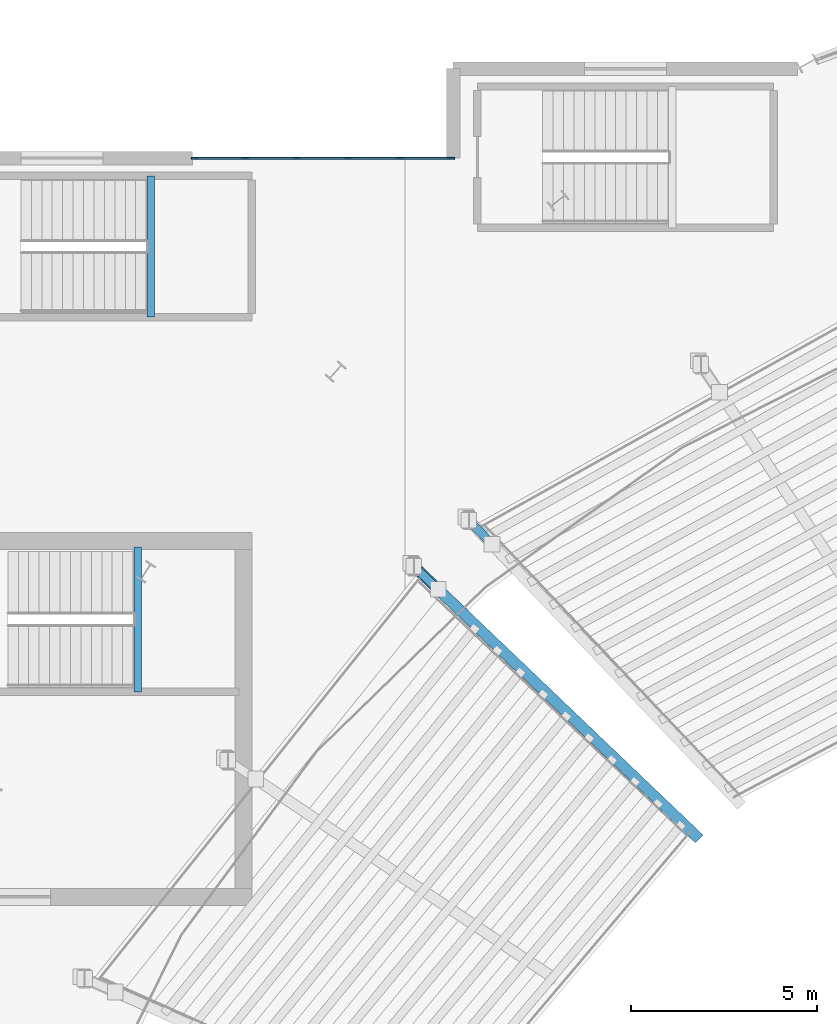
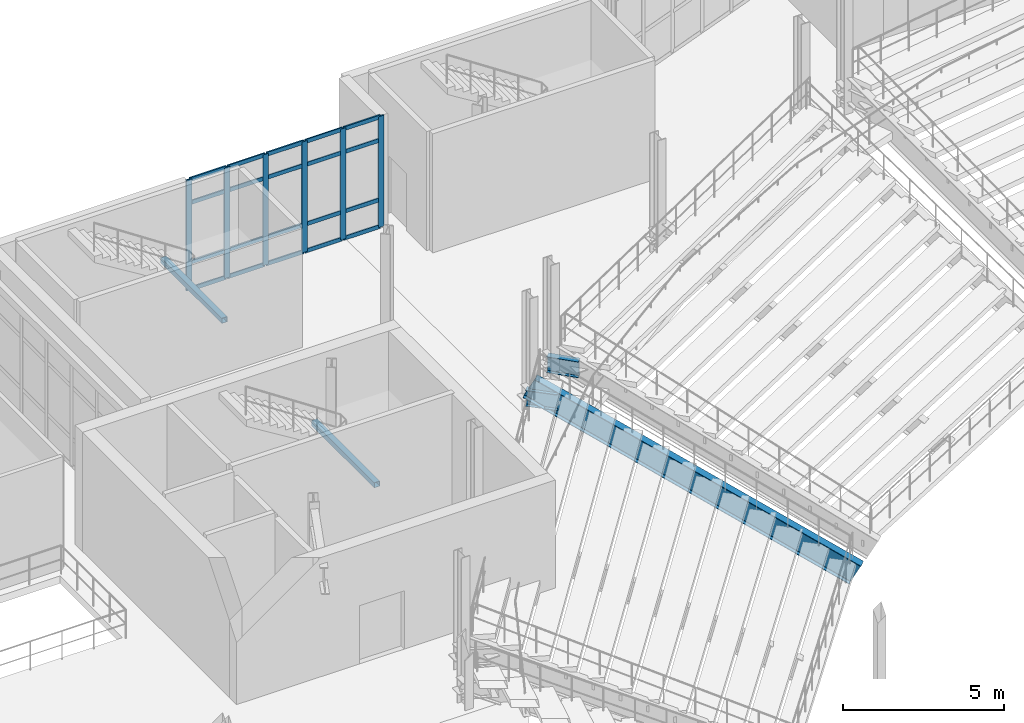
# One storey, part 34 of 81: 26 members, 5 beams, 1 element without a shape of its own.
"""IFC4 building model written with IfcOpenShell, lengths in metres."""

from ifc_helpers import new_model, si_unit, direction, frame, origin, origin_2d, place, context, subcontext, project, spatial, rectangle, hollow_rectangle, i_section, extrude, material, material_profile, profile_set, type_object, element, aggregate, save


model = new_model("IFC4")

# Units and contexts
model_context = context("Model", 3, precision=1e-05, world=origin(), true_north=direction((0.0, 1.0)))
body_context = subcontext(model_context, "Body", "Model", "MODEL_VIEW")
ifc_project = project(units=[si_unit("LENGTHUNIT", "METRE"), si_unit("AREAUNIT", "SQUARE_METRE"), si_unit("VOLUMEUNIT", "CUBIC_METRE"), si_unit("PLANEANGLEUNIT", "RADIAN"), si_unit("MASSUNIT", "GRAM", prefix="KILO")], contexts=[model_context])

# Site, building, storey
site_placement = place(None, origin())
site = spatial("IfcSite", under=ifc_project, at=site_placement, CompositionType="ELEMENT")
building_placement = place(site_placement, origin())
building = spatial("IfcBuilding", under=site, at=building_placement, Name="Glasvene Arena", CompositionType="ELEMENT")
storey_placement = place(building_placement, frame((0.0, 0.0, 15.0)))
storey = spatial("IfcBuildingStorey", under=building, at=storey_placement, Name="L03", CompositionType="ELEMENT", Elevation=15.0)

# Beams
ifc_material_1 = material(Name="Steel S355J2", Category="steel")
ifc_material_profile_1 = material_profile(ifc_material_1, i_section(OverallWidth=0.228271484375, OverallDepth=0.607666015625, WebThickness=0.010986328125, FlangeThickness=0.017333984375, FilletRadius=0.0126953125, at=origin_2d()), Name="UKB 610x229x113")
ifc_profile_set_1 = profile_set([ifc_material_profile_1], Name="Steel S355J2")
beam_type_1 = type_object("IfcBeamType", Name="BM-GIRD-610", PredefinedType="BEAM", material=ifc_profile_set_1)
for number, where, z_axis, x_axis, name in (
    (1, (60.84130859375, 100.18359375, 0.60498046875), (-0.691010672315, 0.722844555037, 0.0), (-0.722844555037, -0.691010672315, 0.0), "Upper raker rear seat haunch girder RKS-06-3"),
    (2, (59.394287109375, 98.977294921875, 0.60498046875), (-0.723078356625, 0.690766016955, 0.0), (-0.690766016955, -0.723078356625, 0.0), "Upper raker rear seat haunch girder RKS-07-1"),
):
    element("IfcBeam", number, at=place(storey_placement, frame(where, z_axis=z_axis, x_axis=x_axis)), inside=storey, type_object=beam_type_1, Name=name, PredefinedType="BEAM", context=body_context, shape_type="SweptSolid", body=[
        extrude(i_section(OverallWidth=0.228271484375, OverallDepth=0.607666015625, WebThickness=0.010986328125, FlangeThickness=0.017333984375, FilletRadius=0.0126953125, at=origin_2d()), origin(), (0.0, 0.0, 1.0), 1.02001953125),
    ])
ifc_material_profile_2 = material_profile(ifc_material_1, hollow_rectangle(XDim=0.199951171875, YDim=0.199951171875, WallThickness=0.010009765625, at=origin_2d()), Name="SHS 200x200x10.0")
ifc_profile_set_2 = profile_set([ifc_material_profile_2], Name="Steel S355J2")
beam_type_2 = type_object("IfcBeamType", Name="BM-LINTEL-200", PredefinedType="LINTEL", material=ifc_profile_set_2)
beam_1_placement = place(storey_placement, frame((51.330078125, 96.22998046875, 1.929931640625), z_axis=(0.0, 1.0, 0.0), x_axis=(-1.0, 0.0, 0.0)))
element("IfcBeam", 3, at=beam_1_placement, inside=storey, type_object=beam_type_2, Name="Stair half-landing support beam ST-01-L03", PredefinedType="LINTEL", context=body_context, shape_type="SweptSolid", body=[
    extrude(hollow_rectangle(XDim=0.199951171875, YDim=0.199951171875, WallThickness=0.010009765625, at=origin_2d()), origin(), (0.0, 0.0, 1.0), 3.89013671875),
])
beam_2_placement = place(storey_placement, frame((51.679931640625, 106.280029296875, 1.929931640625), z_axis=(0.0, 1.0, 0.0), x_axis=(-1.0, 0.0, 0.0)))
element("IfcBeam", 4, at=beam_2_placement, inside=storey, type_object=beam_type_2, Name="Stair half-landing support beam ST-12-L03", PredefinedType="LINTEL", context=body_context, shape_type="SweptSolid", body=[
    extrude(hollow_rectangle(XDim=0.199951171875, YDim=0.199951171875, WallThickness=0.010009765625, at=origin_2d()), origin(), (0.0, 0.0, 1.0), 3.7900390625),
])
ifc_material_profile_3 = material_profile(ifc_material_1, i_section(OverallWidth=0.29248046875, OverallDepth=0.8408203125, WebThickness=0.0146484375, FlangeThickness=0.021728515625, FilletRadius=0.017822265625, at=origin_2d()), Name="UKB 838x292x194")
ifc_profile_set_3 = profile_set([ifc_material_profile_3], Name="Steel S355J2")
beam_type_3 = type_object("IfcBeamType", Name="Upper bowl raker", PredefinedType="USERDEFINED", material=ifc_profile_set_3)
beam_3_placement = place(storey_placement, frame((66.262451171875, 92.413818359375, -4.320068359375), z_axis=(-0.643395546748, 0.614837792595, 0.456088433554), x_axis=(-0.690879858158, -0.722969585523, 0.0)))
element("IfcBeam", 5, at=beam_3_placement, inside=storey, type_object=beam_type_3, Name="Upper bowl cantilevered raker beam RKU-07-1", ObjectType="RAKER BEAM", PredefinedType="USERDEFINED", context=body_context, shape_type="SweptSolid", body=[
    extrude(i_section(OverallWidth=0.29248046875, OverallDepth=0.8408203125, WebThickness=0.0146484375, FlangeThickness=0.021728515625, FilletRadius=0.017822265625, at=origin_2d()), origin(), (0.0, 0.0, 1.0), 11.6865234375),
])

# Curtain wall, members
ifc_material_2 = material(Name="Low-emissivity laminated double glazing", Category="glass")
curtain_wall_type = type_object("IfcCurtainWallType", Name="CW-FAC-L03-692x419", PredefinedType="USERDEFINED", material=ifc_material_2)
curtain_wall_placement = place(storey_placement, frame((52.840087890625, 110.550048828125, 0.0)))
curtain_wall = element("IfcCurtainWall", 6, at=curtain_wall_placement, inside=storey, type_object=curtain_wall_type, Name="Unitised curtain wall CW-F-L03-180-563-1106-19", ObjectType="CURTAIN WALL", PredefinedType="USERDEFINED")
ifc_material_3 = material(Name="Anodised architectural aluminium", Category="aluminium")
ifc_material_profile_4 = material_profile(ifc_material_3, rectangle(XDim=0.050048828125, YDim=0.199951171875, at=origin_2d()), Name="ALU MULLION 50x200")
ifc_profile_set_4 = profile_set([ifc_material_profile_4], Name="Anodised architectural aluminium")
member_type_1 = type_object("IfcMemberType", Name="CW-MUL-180", PredefinedType="MULLION", material=ifc_profile_set_4)
member_1_placement = place(storey_placement, frame((52.864990234375, 110.550048828125, 0.06005859375), z_axis=(0.0, 0.0, 1.0), x_axis=(0.0, 1.0, 0.0)))
member_1 = element("IfcMember", 7, at=member_1_placement, type_object=member_type_1, Name="CW-035 mullion 1", PredefinedType="MULLION", context=body_context, shape_type="SweptSolid", body=[
    extrude(rectangle(XDim=0.050048828125, YDim=0.199951171875, at=origin_2d()), origin(), (0.0, 0.0, 1.0), 4.18994140625),
])
member_2_placement = place(storey_placement, frame((54.22412109375, 110.550048828125, 0.06005859375), z_axis=(0.0, 0.0, 1.0), x_axis=(0.0, 1.0, 0.0)))
member_2 = element("IfcMember", 8, at=member_2_placement, type_object=member_type_1, Name="CW-035 mullion 2", PredefinedType="MULLION", context=body_context, shape_type="SweptSolid", body=[
    extrude(rectangle(XDim=0.050048828125, YDim=0.199951171875, at=origin_2d()), origin(), (0.0, 0.0, 1.0), 4.18994140625),
])
member_3_placement = place(storey_placement, frame((55.60791015625, 110.550048828125, 0.06005859375), z_axis=(0.0, 0.0, 1.0), x_axis=(0.0, 1.0, 0.0)))
member_3 = element("IfcMember", 9, at=member_3_placement, type_object=member_type_1, Name="CW-035 mullion 3", PredefinedType="MULLION", context=body_context, shape_type="SweptSolid", body=[
    extrude(rectangle(XDim=0.050048828125, YDim=0.199951171875, at=origin_2d()), origin(), (0.0, 0.0, 1.0), 4.18994140625),
])
member_4_placement = place(storey_placement, frame((56.991943359375, 110.550048828125, 0.06005859375), z_axis=(0.0, 0.0, 1.0), x_axis=(0.0, 1.0, 0.0)))
member_4 = element("IfcMember", 10, at=member_4_placement, type_object=member_type_1, Name="CW-035 mullion 4", PredefinedType="MULLION", context=body_context, shape_type="SweptSolid", body=[
    extrude(rectangle(XDim=0.050048828125, YDim=0.199951171875, at=origin_2d()), origin(), (0.0, 0.0, 1.0), 4.18994140625),
])
member_5_placement = place(storey_placement, frame((58.3759765625, 110.550048828125, 0.06005859375), z_axis=(0.0, 0.0, 1.0), x_axis=(0.0, 1.0, 0.0)))
member_5 = element("IfcMember", 11, at=member_5_placement, type_object=member_type_1, Name="CW-035 mullion 5", PredefinedType="MULLION", context=body_context, shape_type="SweptSolid", body=[
    extrude(rectangle(XDim=0.050048828125, YDim=0.199951171875, at=origin_2d()), origin(), (0.0, 0.0, 1.0), 4.18994140625),
])
member_6_placement = place(storey_placement, frame((59.735107421875, 110.550048828125, 0.06005859375), z_axis=(0.0, 0.0, 1.0), x_axis=(0.0, 1.0, 0.0)))
member_6 = element("IfcMember", 12, at=member_6_placement, type_object=member_type_1, Name="CW-035 mullion 6", PredefinedType="MULLION", context=body_context, shape_type="SweptSolid", body=[
    extrude(rectangle(XDim=0.050048828125, YDim=0.199951171875, at=origin_2d()), origin(), (0.0, 0.0, 1.0), 4.18994140625),
])
ifc_material_profile_5 = material_profile(ifc_material_3, rectangle(XDim=0.050048828125, YDim=0.14990234375, at=origin_2d()), Name="ALU TRANSOM 50x150")
ifc_profile_set_5 = profile_set([ifc_material_profile_5], Name="Anodised architectural aluminium")
member_type_2 = type_object("IfcMemberType", Name="CW-TRN-150", PredefinedType="USERDEFINED", material=ifc_profile_set_5)
member_7_placement = place(storey_placement, frame((52.889892578125, 110.550048828125, 0.0849609375), z_axis=(1.0, 0.0, 0.0), x_axis=(0.0, 1.0, 0.0)))
member_7 = element("IfcMember", 13, at=member_7_placement, type_object=member_type_2, Name="CW-035 transom 1.1", ObjectType="TRANSOM", PredefinedType="USERDEFINED", context=body_context, shape_type="SweptSolid", body=[
    extrude(rectangle(XDim=0.050048828125, YDim=0.14990234375, at=origin_2d()), origin(), (0.0, 0.0, 1.0), 1.30908203125),
])
member_8_placement = place(storey_placement, frame((52.889892578125, 110.550048828125, 1.10009765625), z_axis=(1.0, 0.0, 0.0), x_axis=(0.0, 1.0, 0.0)))
member_8 = element("IfcMember", 14, at=member_8_placement, type_object=member_type_2, Name="CW-035 transom 1.2", ObjectType="TRANSOM", PredefinedType="USERDEFINED", context=body_context, shape_type="SweptSolid", body=[
    extrude(rectangle(XDim=0.050048828125, YDim=0.14990234375, at=origin_2d()), origin(), (0.0, 0.0, 1.0), 1.30908203125),
])
member_9_placement = place(storey_placement, frame((52.889892578125, 110.550048828125, 3.35009765625), z_axis=(1.0, 0.0, 0.0), x_axis=(0.0, 1.0, 0.0)))
member_9 = element("IfcMember", 15, at=member_9_placement, type_object=member_type_2, Name="CW-035 transom 1.3", ObjectType="TRANSOM", PredefinedType="USERDEFINED", context=body_context, shape_type="SweptSolid", body=[
    extrude(rectangle(XDim=0.050048828125, YDim=0.14990234375, at=origin_2d()), origin(), (0.0, 0.0, 1.0), 1.30908203125),
])
member_10_placement = place(storey_placement, frame((52.889892578125, 110.550048828125, 4.22509765625), z_axis=(1.0, 0.0, 0.0), x_axis=(0.0, 1.0, 0.0)))
member_10 = element("IfcMember", 16, at=member_10_placement, type_object=member_type_2, Name="CW-035 transom 1.4", ObjectType="TRANSOM", PredefinedType="USERDEFINED", context=body_context, shape_type="SweptSolid", body=[
    extrude(rectangle(XDim=0.050048828125, YDim=0.14990234375, at=origin_2d()), origin(), (0.0, 0.0, 1.0), 1.30908203125),
])
member_11_placement = place(storey_placement, frame((54.2490234375, 110.550048828125, 0.0849609375), z_axis=(1.0, 0.0, 0.0), x_axis=(0.0, 1.0, 0.0)))
member_11 = element("IfcMember", 17, at=member_11_placement, type_object=member_type_2, Name="CW-035 transom 2.1", ObjectType="TRANSOM", PredefinedType="USERDEFINED", context=body_context, shape_type="SweptSolid", body=[
    extrude(rectangle(XDim=0.050048828125, YDim=0.14990234375, at=origin_2d()), origin(), (0.0, 0.0, 1.0), 1.333984375),
])
member_12_placement = place(storey_placement, frame((54.2490234375, 110.550048828125, 1.10009765625), z_axis=(1.0, 0.0, 0.0), x_axis=(0.0, 1.0, 0.0)))
member_12 = element("IfcMember", 18, at=member_12_placement, type_object=member_type_2, Name="CW-035 transom 2.2", ObjectType="TRANSOM", PredefinedType="USERDEFINED", context=body_context, shape_type="SweptSolid", body=[
    extrude(rectangle(XDim=0.050048828125, YDim=0.14990234375, at=origin_2d()), origin(), (0.0, 0.0, 1.0), 1.333984375),
])
member_13_placement = place(storey_placement, frame((54.2490234375, 110.550048828125, 3.35009765625), z_axis=(1.0, 0.0, 0.0), x_axis=(0.0, 1.0, 0.0)))
member_13 = element("IfcMember", 19, at=member_13_placement, type_object=member_type_2, Name="CW-035 transom 2.3", ObjectType="TRANSOM", PredefinedType="USERDEFINED", context=body_context, shape_type="SweptSolid", body=[
    extrude(rectangle(XDim=0.050048828125, YDim=0.14990234375, at=origin_2d()), origin(), (0.0, 0.0, 1.0), 1.333984375),
])
member_14_placement = place(storey_placement, frame((54.2490234375, 110.550048828125, 4.22509765625), z_axis=(1.0, 0.0, 0.0), x_axis=(0.0, 1.0, 0.0)))
member_14 = element("IfcMember", 20, at=member_14_placement, type_object=member_type_2, Name="CW-035 transom 2.4", ObjectType="TRANSOM", PredefinedType="USERDEFINED", context=body_context, shape_type="SweptSolid", body=[
    extrude(rectangle(XDim=0.050048828125, YDim=0.14990234375, at=origin_2d()), origin(), (0.0, 0.0, 1.0), 1.333984375),
])
member_15_placement = place(storey_placement, frame((55.633056640625, 110.550048828125, 0.0849609375), z_axis=(1.0, 0.0, 0.0), x_axis=(0.0, 1.0, 0.0)))
member_15 = element("IfcMember", 21, at=member_15_placement, type_object=member_type_2, Name="CW-035 transom 3.1", ObjectType="TRANSOM", PredefinedType="USERDEFINED", context=body_context, shape_type="SweptSolid", body=[
    extrude(rectangle(XDim=0.050048828125, YDim=0.14990234375, at=origin_2d()), origin(), (0.0, 0.0, 1.0), 1.333984375),
])
member_16_placement = place(storey_placement, frame((55.633056640625, 110.550048828125, 1.10009765625), z_axis=(1.0, 0.0, 0.0), x_axis=(0.0, 1.0, 0.0)))
member_16 = element("IfcMember", 22, at=member_16_placement, type_object=member_type_2, Name="CW-035 transom 3.2", ObjectType="TRANSOM", PredefinedType="USERDEFINED", context=body_context, shape_type="SweptSolid", body=[
    extrude(rectangle(XDim=0.050048828125, YDim=0.14990234375, at=origin_2d()), origin(), (0.0, 0.0, 1.0), 1.333984375),
])
member_17_placement = place(storey_placement, frame((55.633056640625, 110.550048828125, 3.35009765625), z_axis=(1.0, 0.0, 0.0), x_axis=(0.0, 1.0, 0.0)))
member_17 = element("IfcMember", 23, at=member_17_placement, type_object=member_type_2, Name="CW-035 transom 3.3", ObjectType="TRANSOM", PredefinedType="USERDEFINED", context=body_context, shape_type="SweptSolid", body=[
    extrude(rectangle(XDim=0.050048828125, YDim=0.14990234375, at=origin_2d()), origin(), (0.0, 0.0, 1.0), 1.333984375),
])
member_18_placement = place(storey_placement, frame((55.633056640625, 110.550048828125, 4.22509765625), z_axis=(1.0, 0.0, 0.0), x_axis=(0.0, 1.0, 0.0)))
member_18 = element("IfcMember", 24, at=member_18_placement, type_object=member_type_2, Name="CW-035 transom 3.4", ObjectType="TRANSOM", PredefinedType="USERDEFINED", context=body_context, shape_type="SweptSolid", body=[
    extrude(rectangle(XDim=0.050048828125, YDim=0.14990234375, at=origin_2d()), origin(), (0.0, 0.0, 1.0), 1.333984375),
])
member_19_placement = place(storey_placement, frame((57.01708984375, 110.550048828125, 0.0849609375), z_axis=(1.0, 0.0, 0.0), x_axis=(0.0, 1.0, 0.0)))
member_19 = element("IfcMember", 25, at=member_19_placement, type_object=member_type_2, Name="CW-035 transom 4.1", ObjectType="TRANSOM", PredefinedType="USERDEFINED", context=body_context, shape_type="SweptSolid", body=[
    extrude(rectangle(XDim=0.050048828125, YDim=0.14990234375, at=origin_2d()), origin(), (0.0, 0.0, 1.0), 1.333984375),
])
member_20_placement = place(storey_placement, frame((57.01708984375, 110.550048828125, 1.10009765625), z_axis=(1.0, 0.0, 0.0), x_axis=(0.0, 1.0, 0.0)))
member_20 = element("IfcMember", 26, at=member_20_placement, type_object=member_type_2, Name="CW-035 transom 4.2", ObjectType="TRANSOM", PredefinedType="USERDEFINED", context=body_context, shape_type="SweptSolid", body=[
    extrude(rectangle(XDim=0.050048828125, YDim=0.14990234375, at=origin_2d()), origin(), (0.0, 0.0, 1.0), 1.333984375),
])
member_21_placement = place(storey_placement, frame((57.01708984375, 110.550048828125, 3.35009765625), z_axis=(1.0, 0.0, 0.0), x_axis=(0.0, 1.0, 0.0)))
member_21 = element("IfcMember", 27, at=member_21_placement, type_object=member_type_2, Name="CW-035 transom 4.3", ObjectType="TRANSOM", PredefinedType="USERDEFINED", context=body_context, shape_type="SweptSolid", body=[
    extrude(rectangle(XDim=0.050048828125, YDim=0.14990234375, at=origin_2d()), origin(), (0.0, 0.0, 1.0), 1.333984375),
])
member_22_placement = place(storey_placement, frame((57.01708984375, 110.550048828125, 4.22509765625), z_axis=(1.0, 0.0, 0.0), x_axis=(0.0, 1.0, 0.0)))
member_22 = element("IfcMember", 28, at=member_22_placement, type_object=member_type_2, Name="CW-035 transom 4.4", ObjectType="TRANSOM", PredefinedType="USERDEFINED", context=body_context, shape_type="SweptSolid", body=[
    extrude(rectangle(XDim=0.050048828125, YDim=0.14990234375, at=origin_2d()), origin(), (0.0, 0.0, 1.0), 1.333984375),
])
member_23_placement = place(storey_placement, frame((58.40087890625, 110.550048828125, 0.0849609375), z_axis=(1.0, 0.0, 0.0), x_axis=(0.0, 1.0, 0.0)))
member_23 = element("IfcMember", 29, at=member_23_placement, type_object=member_type_2, Name="CW-035 transom 5.1", ObjectType="TRANSOM", PredefinedType="USERDEFINED", context=body_context, shape_type="SweptSolid", body=[
    extrude(rectangle(XDim=0.050048828125, YDim=0.14990234375, at=origin_2d()), origin(), (0.0, 0.0, 1.0), 1.30908203125),
])
member_24_placement = place(storey_placement, frame((58.40087890625, 110.550048828125, 1.10009765625), z_axis=(1.0, 0.0, 0.0), x_axis=(0.0, 1.0, 0.0)))
member_24 = element("IfcMember", 30, at=member_24_placement, type_object=member_type_2, Name="CW-035 transom 5.2", ObjectType="TRANSOM", PredefinedType="USERDEFINED", context=body_context, shape_type="SweptSolid", body=[
    extrude(rectangle(XDim=0.050048828125, YDim=0.14990234375, at=origin_2d()), origin(), (0.0, 0.0, 1.0), 1.30908203125),
])
member_25_placement = place(storey_placement, frame((58.40087890625, 110.550048828125, 3.35009765625), z_axis=(1.0, 0.0, 0.0), x_axis=(0.0, 1.0, 0.0)))
member_25 = element("IfcMember", 31, at=member_25_placement, type_object=member_type_2, Name="CW-035 transom 5.3", ObjectType="TRANSOM", PredefinedType="USERDEFINED", context=body_context, shape_type="SweptSolid", body=[
    extrude(rectangle(XDim=0.050048828125, YDim=0.14990234375, at=origin_2d()), origin(), (0.0, 0.0, 1.0), 1.30908203125),
])
member_26_placement = place(storey_placement, frame((58.40087890625, 110.550048828125, 4.22509765625), z_axis=(1.0, 0.0, 0.0), x_axis=(0.0, 1.0, 0.0)))
member_26 = element("IfcMember", 32, at=member_26_placement, type_object=member_type_2, Name="CW-035 transom 5.4", ObjectType="TRANSOM", PredefinedType="USERDEFINED", context=body_context, shape_type="SweptSolid", body=[
    extrude(rectangle(XDim=0.050048828125, YDim=0.14990234375, at=origin_2d()), origin(), (0.0, 0.0, 1.0), 1.30908203125),
])
aggregate(curtain_wall, [member_1, member_2, member_3, member_4, member_5, member_6, member_7, member_8, member_9, member_10, member_11, member_12, member_13, member_14, member_15, member_16, member_17, member_18, member_19, member_20, member_21, member_22, member_23, member_24, member_25, member_26])

save(model, "model.ifc")
